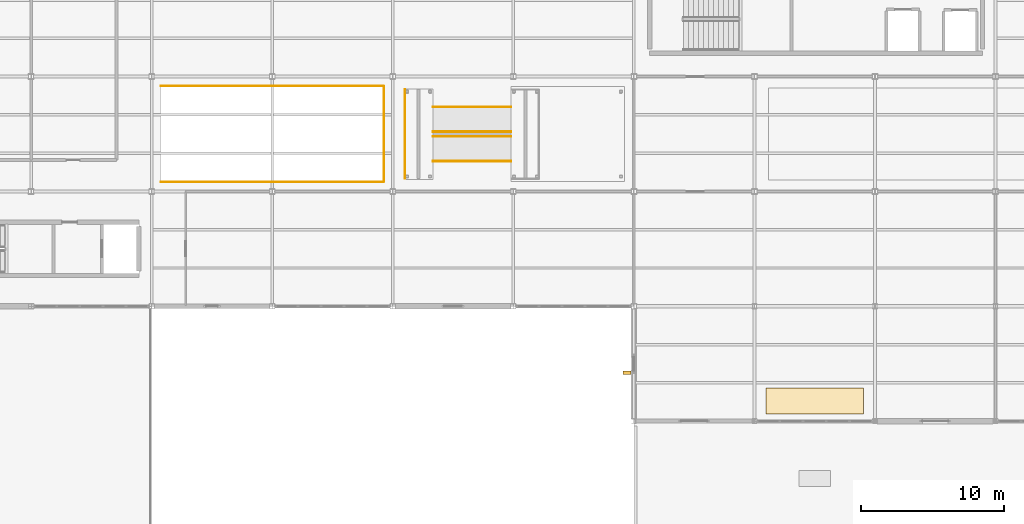
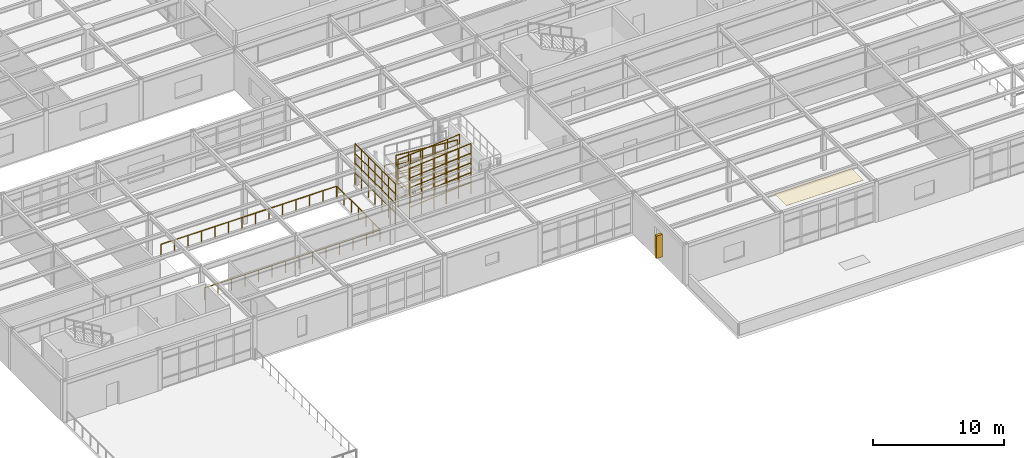
# One storey, part 129 of 138: 23 railings, 1 covering, 1 shading device.
"""IFC4 building model written with IfcOpenShell, lengths in metres."""

from ifc_helpers import new_model, si_unit, direction, frame, origin, origin_2d, place, context, subcontext, project, spatial, polyline, rectangle, circle, outline, extrude, material, layer, layer_set, type_object, element, save


model = new_model("IFC4")

# Units and contexts
model_context = context("Model", 3, precision=1e-05, world=origin(), true_north=direction((0.0, 1.0)))
body_context = subcontext(model_context, "Body", "Model", "MODEL_VIEW")
ifc_project = project(units=[si_unit("LENGTHUNIT", "METRE"), si_unit("AREAUNIT", "SQUARE_METRE"), si_unit("VOLUMEUNIT", "CUBIC_METRE"), si_unit("PLANEANGLEUNIT", "RADIAN"), si_unit("MASSUNIT", "GRAM", prefix="KILO")], contexts=[model_context])

# Site, building, storey
site_placement = place(None, origin())
site = spatial("IfcSite", under=ifc_project, at=site_placement, CompositionType="ELEMENT")
building_placement = place(site_placement, origin())
building = spatial("IfcBuilding", under=site, at=building_placement, Name="Kranzveld Transit Interchange", CompositionType="ELEMENT")
storey_placement = place(building_placement, frame((0.0, 0.0, 5.43994140625)))
storey = spatial("IfcBuildingStorey", under=building, at=storey_placement, Name="L01", CompositionType="ELEMENT", Elevation=5.43994140625)

# Covering
ifc_material_1 = material(Name="Bronze-anodised thermally broken aluminium", Category="aluminium")
ifc_layer = layer(ifc_material_1, 0.02490234375)
ifc_layer_set = layer_set([ifc_layer], Name="Bronze-anodised thermally broken aluminium")
covering_type = type_object("IfcCoveringType", Name="Acoustic Perforated Ceiling Tile 25", PredefinedType="CEILING", material=ifc_layer_set)
covering_placement = place(storey_placement, frame((0.0, 0.0, 3.775146484375)))
element("IfcCovering", 1, at=covering_placement, inside=storey, type_object=covering_type, Name="Dispatch Suite Acoustic Ceiling", PredefinedType="CEILING", context=body_context, shape_type="SweptSolid", body=[
    extrude(outline(polyline([(59.60009765625, 8.5), (66.39990234375, 8.5), (66.39990234375, 10.300048828125), (59.60009765625, 10.300048828125), (59.60009765625, 8.5)])), origin(), (0.0, 0.0, 1.0), 0.02490234375),
])

# Railings
ifc_material_2 = material(Name="Steel S355JR", Category="steel")
railing_type_1 = type_object("IfcRailingType", Name="Atrium Void Guardrail 1100", PredefinedType="GUARDRAIL", material=ifc_material_2)
railing_1_placement = place(storey_placement, frame((17.43994140625, 24.64990234375, 0.0)))
element("IfcRailing", 2, at=railing_1_placement, inside=storey, type_object=railing_type_1, Name="L01 Cycle Ramp Well Guardrail 1", PredefinedType="GUARDRAIL", context=body_context, shape_type="SweptSolid", body=[
    extrude(circle(Radius=0.02392578125, at=origin_2d()), frame((0.0, 0.0, 1.076171875), z_axis=(1.0, 0.0, 0.0), x_axis=(0.0, 1.0, 0.0)), (0.0, 0.0, 1.0), 15.52001953125),
    extrude(circle(Radius=0.02099609375, at=origin_2d()), origin(), (0.0, 0.0, 1.0), 1.050048828125),
    extrude(circle(Radius=0.02099609375, at=origin_2d()), frame((1.19384765625, 0.0, 0.0)), (0.0, 0.0, 1.0), 1.050048828125),
    extrude(circle(Radius=0.02099609375, at=origin_2d()), frame((2.3876953125, 0.0, 0.0)), (0.0, 0.0, 1.0), 1.050048828125),
    extrude(circle(Radius=0.02099609375, at=origin_2d()), frame((3.58154296875, 0.0, 0.0)), (0.0, 0.0, 1.0), 1.050048828125),
    extrude(circle(Radius=0.02099609375, at=origin_2d()), frame((4.775390625, 0.0, 0.0)), (0.0, 0.0, 1.0), 1.050048828125),
    extrude(circle(Radius=0.02099609375, at=origin_2d()), frame((5.96923828125, 0.0, 0.0)), (0.0, 0.0, 1.0), 1.050048828125),
    extrude(circle(Radius=0.02099609375, at=origin_2d()), frame((7.1630859375, 0.0, 0.0)), (0.0, 0.0, 1.0), 1.050048828125),
    extrude(circle(Radius=0.02099609375, at=origin_2d()), frame((8.35693359375, 0.0, 0.0)), (0.0, 0.0, 1.0), 1.050048828125),
    extrude(circle(Radius=0.02099609375, at=origin_2d()), frame((9.55078125, 0.0, 0.0)), (0.0, 0.0, 1.0), 1.050048828125),
    extrude(circle(Radius=0.02099609375, at=origin_2d()), frame((10.74462890625, 0.0, 0.0)), (0.0, 0.0, 1.0), 1.050048828125),
    extrude(circle(Radius=0.02099609375, at=origin_2d()), frame((11.9384765625, 0.0, 0.0)), (0.0, 0.0, 1.0), 1.050048828125),
    extrude(circle(Radius=0.02099609375, at=origin_2d()), frame((13.13232421875, 0.0, 0.0)), (0.0, 0.0, 1.0), 1.050048828125),
    extrude(circle(Radius=0.02099609375, at=origin_2d()), frame((14.326171875, 0.0, 0.0)), (0.0, 0.0, 1.0), 1.050048828125),
    extrude(circle(Radius=0.02099609375, at=origin_2d()), frame((15.52001953125, 0.0, 0.0)), (0.0, 0.0, 1.0), 1.050048828125),
])
railing_2_placement = place(storey_placement, frame((33.0, 24.68994140625, 0.0)))
element("IfcRailing", 3, at=railing_2_placement, inside=storey, type_object=railing_type_1, Name="L01 Cycle Ramp Well Guardrail 2", PredefinedType="GUARDRAIL", context=body_context, shape_type="SweptSolid", body=[
    extrude(circle(Radius=0.02392578125, at=origin_2d()), frame((0.0, 0.0, 1.076171875), z_axis=(0.0, 1.0, 0.0), x_axis=(-1.0, 0.0, 0.0)), (0.0, 0.0, 1.0), 6.6201171875),
    extrude(circle(Radius=0.02099609375, at=origin_2d()), origin(), (0.0, 0.0, 1.0), 1.050048828125),
    extrude(circle(Radius=0.02099609375, at=origin_2d()), frame((0.0, 1.103271484375, 0.0)), (0.0, 0.0, 1.0), 1.050048828125),
    extrude(circle(Radius=0.02099609375, at=origin_2d()), frame((0.0, 2.206787109375, 0.0)), (0.0, 0.0, 1.0), 1.050048828125),
    extrude(circle(Radius=0.02099609375, at=origin_2d()), frame((0.0, 3.31005859375, 0.0)), (0.0, 0.0, 1.0), 1.050048828125),
    extrude(circle(Radius=0.02099609375, at=origin_2d()), frame((0.0, 4.413330078125, 0.0)), (0.0, 0.0, 1.0), 1.050048828125),
    extrude(circle(Radius=0.02099609375, at=origin_2d()), frame((0.0, 5.516845703125, 0.0)), (0.0, 0.0, 1.0), 1.050048828125),
    extrude(circle(Radius=0.02099609375, at=origin_2d()), frame((0.0, 6.6201171875, 0.0)), (0.0, 0.0, 1.0), 1.050048828125),
])
railing_3_placement = place(storey_placement, frame((32.9599609375, 31.35009765625, 0.0)))
element("IfcRailing", 4, at=railing_3_placement, inside=storey, type_object=railing_type_1, Name="L01 Cycle Ramp Well Guardrail 3", PredefinedType="GUARDRAIL", context=body_context, shape_type="SweptSolid", body=[
    extrude(circle(Radius=0.02392578125, at=origin_2d()), frame((0.0, 0.0, 1.076171875), z_axis=(-1.0, 0.0, 0.0), x_axis=(0.0, -1.0, 0.0)), (0.0, 0.0, 1.0), 15.52001953125),
    extrude(circle(Radius=0.02099609375, at=origin_2d()), origin(), (0.0, 0.0, 1.0), 1.050048828125),
    extrude(circle(Radius=0.02099609375, at=origin_2d()), frame((-1.19384765625, 0.0, 0.0)), (0.0, 0.0, 1.0), 1.050048828125),
    extrude(circle(Radius=0.02099609375, at=origin_2d()), frame((-2.3876953125, 0.0, 0.0)), (0.0, 0.0, 1.0), 1.050048828125),
    extrude(circle(Radius=0.02099609375, at=origin_2d()), frame((-3.58154296875, 0.0, 0.0)), (0.0, 0.0, 1.0), 1.050048828125),
    extrude(circle(Radius=0.02099609375, at=origin_2d()), frame((-4.775390625, 0.0, 0.0)), (0.0, 0.0, 1.0), 1.050048828125),
    extrude(circle(Radius=0.02099609375, at=origin_2d()), frame((-5.96923828125, 0.0, 0.0)), (0.0, 0.0, 1.0), 1.050048828125),
    extrude(circle(Radius=0.02099609375, at=origin_2d()), frame((-7.1630859375, 0.0, 0.0)), (0.0, 0.0, 1.0), 1.050048828125),
    extrude(circle(Radius=0.02099609375, at=origin_2d()), frame((-8.35693359375, 0.0, 0.0)), (0.0, 0.0, 1.0), 1.050048828125),
    extrude(circle(Radius=0.02099609375, at=origin_2d()), frame((-9.55078125, 0.0, 0.0)), (0.0, 0.0, 1.0), 1.050048828125),
    extrude(circle(Radius=0.02099609375, at=origin_2d()), frame((-10.74462890625, 0.0, 0.0)), (0.0, 0.0, 1.0), 1.050048828125),
    extrude(circle(Radius=0.02099609375, at=origin_2d()), frame((-11.9384765625, 0.0, 0.0)), (0.0, 0.0, 1.0), 1.050048828125),
    extrude(circle(Radius=0.02099609375, at=origin_2d()), frame((-13.13232421875, 0.0, 0.0)), (0.0, 0.0, 1.0), 1.050048828125),
    extrude(circle(Radius=0.02099609375, at=origin_2d()), frame((-14.326171875, 0.0, 0.0)), (0.0, 0.0, 1.0), 1.050048828125),
    extrude(circle(Radius=0.02099609375, at=origin_2d()), frame((-15.52001953125, 0.0, 0.0)), (0.0, 0.0, 1.0), 1.050048828125),
])

# Shading device
ifc_material_3 = material(Name="Bronze-anodised thermally broken aluminium", Category="aluminium")
shading_device_type = type_object("IfcShadingDeviceType", Name="East-West Deep Clinker Solar Fin", PredefinedType="USERDEFINED", material=ifc_material_3)
shading_device_placement = place(storey_placement, frame((49.93505859375, 11.3515625, 0.64990234375), z_axis=(0.0, 0.0, 1.0), x_axis=(0.0, 1.0, 0.0)))
element("IfcShadingDevice", 5, at=shading_device_placement, inside=storey, type_object=shading_device_type, Name="L01 Vertical Solar Fin 07/B", ObjectType="SOLAR FIN", PredefinedType="USERDEFINED", context=body_context, shape_type="SweptSolid", body=[
    extrude(rectangle(XDim=0.239990234375, YDim=0.550048828125, at=origin_2d()), origin(), (0.0, 0.0, 1.0), 2.10009765625),
])

# Railings
ifc_material_4 = material(Name="Steel S355JR", Category="steel")
railing_type_2 = type_object("IfcRailingType", Name="Stair & Ramp Handrail Steel 900", PredefinedType="HANDRAIL", material=ifc_material_4)
railing_4_placement = place(storey_placement, frame((36.39990234375, 27.840087890625, 0.0)))
element("IfcRailing", 6, at=railing_4_placement, inside=storey, type_object=railing_type_2, Name="RMP-2 Flight 1 Rail H", PredefinedType="HANDRAIL", context=body_context, shape_type="SweptSolid", body=[
    extrude(circle(Radius=0.02392578125, at=origin_2d()), frame((0.0, 0.0, 0.8759765625), z_axis=(0.996545449809, 0.0, 0.083049181003), x_axis=(0.0, 1.0, 0.0)), (0.0, 0.0, 1.0), 5.458984375),
    extrude(circle(Radius=0.02099609375, at=origin_2d()), origin(), (0.0, 0.0, 1.0), 0.849853515625),
    extrude(circle(Radius=0.02099609375, at=origin_2d()), frame((1.088134765625, 0.0, 0.090576171875)), (0.0, 0.0, 1.0), 0.849853515625),
    extrude(circle(Radius=0.02099609375, at=origin_2d()), frame((2.176025390625, 0.0, 0.181396484375)), (0.0, 0.0, 1.0), 0.849853515625),
    extrude(circle(Radius=0.02099609375, at=origin_2d()), frame((3.26416015625, 0.0, 0.27197265625)), (0.0, 0.0, 1.0), 0.849853515625),
    extrude(circle(Radius=0.02099609375, at=origin_2d()), frame((4.35205078125, 0.0, 0.36279296875)), (0.0, 0.0, 1.0), 0.849853515625),
    extrude(circle(Radius=0.02099609375, at=origin_2d()), frame((5.440185546875, 0.0, 0.453369140625)), (0.0, 0.0, 1.0), 0.849853515625),
])
railing_5_placement = place(storey_placement, frame((41.840087890625, 29.889892578125, 0.453369140625)))
element("IfcRailing", 7, at=railing_5_placement, inside=storey, type_object=railing_type_2, Name="RMP-2 Flight 2 Rail H", PredefinedType="HANDRAIL", context=body_context, shape_type="SweptSolid", body=[
    extrude(circle(Radius=0.02392578125, at=origin_2d()), frame((0.0, 0.0, 0.8759765625), z_axis=(-0.996545449809, 0.0, 0.083049181003), x_axis=(0.0, -1.0, 0.0)), (0.0, 0.0, 1.0), 5.458984375),
    extrude(circle(Radius=0.02099609375, at=origin_2d()), origin(), (0.0, 0.0, 1.0), 0.849853515625),
    extrude(circle(Radius=0.02099609375, at=origin_2d()), frame((-1.088134765625, 0.0, 0.090576171875)), (0.0, 0.0, 1.0), 0.849853515625),
    extrude(circle(Radius=0.02099609375, at=origin_2d()), frame((-2.176025390625, 0.0, 0.181396484375)), (0.0, 0.0, 1.0), 0.849853515625),
    extrude(circle(Radius=0.02099609375, at=origin_2d()), frame((-3.26416015625, 0.0, 0.27197265625)), (0.0, 0.0, 1.0), 0.849853515625),
    extrude(circle(Radius=0.02099609375, at=origin_2d()), frame((-4.35205078125, 0.0, 0.36279296875)), (0.0, 0.0, 1.0), 0.849853515625),
    extrude(circle(Radius=0.02099609375, at=origin_2d()), frame((-5.440185546875, 0.0, 0.453369140625)), (0.0, 0.0, 1.0), 0.849853515625),
])
railing_6_placement = place(storey_placement, frame((36.39990234375, 27.840087890625, 0.90673828125)))
element("IfcRailing", 8, at=railing_6_placement, inside=storey, type_object=railing_type_2, Name="RMP-2 Flight 3 Rail H", PredefinedType="HANDRAIL", context=body_context, shape_type="SweptSolid", body=[
    extrude(circle(Radius=0.02392578125, at=origin_2d()), frame((0.0, 0.0, 0.8759765625), z_axis=(0.996545449809, 0.0, 0.083049181003), x_axis=(0.0, 1.0, 0.0)), (0.0, 0.0, 1.0), 5.458984375),
    extrude(circle(Radius=0.02099609375, at=origin_2d()), origin(), (0.0, 0.0, 1.0), 0.849853515625),
    extrude(circle(Radius=0.02099609375, at=origin_2d()), frame((1.088134765625, 0.0, 0.090576171875)), (0.0, 0.0, 1.0), 0.849853515625),
    extrude(circle(Radius=0.02099609375, at=origin_2d()), frame((2.176025390625, 0.0, 0.181396484375)), (0.0, 0.0, 1.0), 0.849853515625),
    extrude(circle(Radius=0.02099609375, at=origin_2d()), frame((3.26416015625, 0.0, 0.27197265625)), (0.0, 0.0, 1.0), 0.849853515625),
    extrude(circle(Radius=0.02099609375, at=origin_2d()), frame((4.35205078125, 0.0, 0.36279296875)), (0.0, 0.0, 1.0), 0.849853515625),
    extrude(circle(Radius=0.02099609375, at=origin_2d()), frame((5.440185546875, 0.0, 0.453369140625)), (0.0, 0.0, 1.0), 0.849853515625),
])
railing_7_placement = place(storey_placement, frame((41.840087890625, 29.889892578125, 1.360107421875)))
element("IfcRailing", 9, at=railing_7_placement, inside=storey, type_object=railing_type_2, Name="RMP-2 Flight 4 Rail H", PredefinedType="HANDRAIL", context=body_context, shape_type="SweptSolid", body=[
    extrude(circle(Radius=0.02392578125, at=origin_2d()), frame((0.0, 0.0, 0.8759765625), z_axis=(-0.996545449809, 0.0, 0.083049181003), x_axis=(0.0, -1.0, 0.0)), (0.0, 0.0, 1.0), 5.458984375),
    extrude(circle(Radius=0.02099609375, at=origin_2d()), origin(), (0.0, 0.0, 1.0), 0.849853515625),
    extrude(circle(Radius=0.02099609375, at=origin_2d()), frame((-1.088134765625, 0.0, 0.090576171875)), (0.0, 0.0, 1.0), 0.849853515625),
    extrude(circle(Radius=0.02099609375, at=origin_2d()), frame((-2.176025390625, 0.0, 0.181396484375)), (0.0, 0.0, 1.0), 0.849853515625),
    extrude(circle(Radius=0.02099609375, at=origin_2d()), frame((-3.26416015625, 0.0, 0.27197265625)), (0.0, 0.0, 1.0), 0.849853515625),
    extrude(circle(Radius=0.02099609375, at=origin_2d()), frame((-4.35205078125, 0.0, 0.36279296875)), (0.0, 0.0, 1.0), 0.849853515625),
    extrude(circle(Radius=0.02099609375, at=origin_2d()), frame((-5.440185546875, 0.0, 0.453369140625)), (0.0, 0.0, 1.0), 0.849853515625),
])
railing_8_placement = place(storey_placement, frame((36.39990234375, 27.840087890625, 1.8134765625)))
element("IfcRailing", 10, at=railing_8_placement, inside=storey, type_object=railing_type_2, Name="RMP-2 Flight 5 Rail H", PredefinedType="HANDRAIL", context=body_context, shape_type="SweptSolid", body=[
    extrude(circle(Radius=0.02392578125, at=origin_2d()), frame((0.0, 0.0, 0.8759765625), z_axis=(0.996549150147, 0.0, 0.083004766983), x_axis=(0.0, 1.0, 0.0)), (0.0, 0.0, 1.0), 5.458984375),
    extrude(circle(Radius=0.02099609375, at=origin_2d()), origin(), (0.0, 0.0, 1.0), 0.849853515625),
    extrude(circle(Radius=0.02099609375, at=origin_2d()), frame((1.088134765625, 0.0, 0.090576171875)), (0.0, 0.0, 1.0), 0.849853515625),
    extrude(circle(Radius=0.02099609375, at=origin_2d()), frame((2.176025390625, 0.0, 0.18115234375)), (0.0, 0.0, 1.0), 0.849853515625),
    extrude(circle(Radius=0.02099609375, at=origin_2d()), frame((3.26416015625, 0.0, 0.27197265625)), (0.0, 0.0, 1.0), 0.849853515625),
    extrude(circle(Radius=0.02099609375, at=origin_2d()), frame((4.35205078125, 0.0, 0.362548828125)), (0.0, 0.0, 1.0), 0.849853515625),
    extrude(circle(Radius=0.02099609375, at=origin_2d()), frame((5.440185546875, 0.0, 0.453125)), (0.0, 0.0, 1.0), 0.849853515625),
])
for number, where, name in (
    (11, (36.39990234375, 27.840087890625, 2.719970703125), "RMP-2 Flight 7 Rail H"),
    (12, (36.39990234375, 27.840087890625, 3.626708984375), "RMP-2 Flight 9 Rail H"),
):
    element("IfcRailing", number, at=place(storey_placement, frame(where)), inside=storey, type_object=railing_type_2, Name=name, PredefinedType="HANDRAIL", context=body_context, shape_type="SweptSolid", body=[
        extrude(circle(Radius=0.02392578125, at=origin_2d()), frame((0.0, 0.0, 0.8759765625), z_axis=(0.996545449809, 0.0, 0.083049181003), x_axis=(0.0, 1.0, 0.0)), (0.0, 0.0, 1.0), 5.458984375),
        extrude(circle(Radius=0.02099609375, at=origin_2d()), origin(), (0.0, 0.0, 1.0), 0.849853515625),
        extrude(circle(Radius=0.02099609375, at=origin_2d()), frame((1.088134765625, 0.0, 0.090576171875)), (0.0, 0.0, 1.0), 0.849853515625),
        extrude(circle(Radius=0.02099609375, at=origin_2d()), frame((2.176025390625, 0.0, 0.181396484375)), (0.0, 0.0, 1.0), 0.849853515625),
        extrude(circle(Radius=0.02099609375, at=origin_2d()), frame((3.26416015625, 0.0, 0.27197265625)), (0.0, 0.0, 1.0), 0.849853515625),
        extrude(circle(Radius=0.02099609375, at=origin_2d()), frame((4.35205078125, 0.0, 0.36279296875)), (0.0, 0.0, 1.0), 0.849853515625),
        extrude(circle(Radius=0.02099609375, at=origin_2d()), frame((5.440185546875, 0.0, 0.453369140625)), (0.0, 0.0, 1.0), 0.849853515625),
    ])
ifc_material_5 = material(Name="Steel S355JR", Category="steel")
railing_type_3 = type_object("IfcRailingType", Name="Stair Well Guardrail Steel 1100", PredefinedType="GUARDRAIL", material=ifc_material_5)
railing_9_placement = place(storey_placement, frame((36.39990234375, 26.110107421875, 0.0)))
element("IfcRailing", 13, at=railing_9_placement, inside=storey, type_object=railing_type_3, Name="RMP-2 Flight 1 Rail G", PredefinedType="GUARDRAIL", context=body_context, shape_type="SweptSolid", body=[
    extrude(circle(Radius=0.02392578125, at=origin_2d()), frame((0.0, 0.0, 1.076171875), z_axis=(0.996545449809, 0.0, 0.083049181003), x_axis=(0.0, 1.0, 0.0)), (0.0, 0.0, 1.0), 5.458984375),
    extrude(circle(Radius=0.02099609375, at=origin_2d()), origin(), (0.0, 0.0, 1.0), 1.050048828125),
    extrude(circle(Radius=0.02099609375, at=origin_2d()), frame((1.088134765625, 0.0, 0.090576171875)), (0.0, 0.0, 1.0), 1.050048828125),
    extrude(circle(Radius=0.02099609375, at=origin_2d()), frame((2.176025390625, 0.0, 0.181396484375)), (0.0, 0.0, 1.0), 1.050048828125),
    extrude(circle(Radius=0.02099609375, at=origin_2d()), frame((3.26416015625, 0.0, 0.27197265625)), (0.0, 0.0, 1.0), 1.050048828125),
    extrude(circle(Radius=0.02099609375, at=origin_2d()), frame((4.35205078125, 0.0, 0.36279296875)), (0.0, 0.0, 1.0), 1.050048828125),
    extrude(circle(Radius=0.02099609375, at=origin_2d()), frame((5.440185546875, 0.0, 0.453369140625)), (0.0, 0.0, 1.0), 1.050048828125),
])
railing_10_placement = place(storey_placement, frame((41.840087890625, 28.159912109375, 0.453369140625)))
element("IfcRailing", 14, at=railing_10_placement, inside=storey, type_object=railing_type_3, Name="RMP-2 Flight 2 Rail G", PredefinedType="GUARDRAIL", context=body_context, shape_type="SweptSolid", body=[
    extrude(circle(Radius=0.02392578125, at=origin_2d()), frame((0.0, 0.0, 1.076171875), z_axis=(-0.996545449809, 0.0, 0.083049181003), x_axis=(0.0, -1.0, 0.0)), (0.0, 0.0, 1.0), 5.458984375),
    extrude(circle(Radius=0.02099609375, at=origin_2d()), origin(), (0.0, 0.0, 1.0), 1.050048828125),
    extrude(circle(Radius=0.02099609375, at=origin_2d()), frame((-1.088134765625, 0.0, 0.090576171875)), (0.0, 0.0, 1.0), 1.050048828125),
    extrude(circle(Radius=0.02099609375, at=origin_2d()), frame((-2.176025390625, 0.0, 0.181396484375)), (0.0, 0.0, 1.0), 1.050048828125),
    extrude(circle(Radius=0.02099609375, at=origin_2d()), frame((-3.26416015625, 0.0, 0.27197265625)), (0.0, 0.0, 1.0), 1.050048828125),
    extrude(circle(Radius=0.02099609375, at=origin_2d()), frame((-4.35205078125, 0.0, 0.36279296875)), (0.0, 0.0, 1.0), 1.050048828125),
    extrude(circle(Radius=0.02099609375, at=origin_2d()), frame((-5.440185546875, 0.0, 0.453369140625)), (0.0, 0.0, 1.0), 1.050048828125),
])
railing_11_placement = place(storey_placement, frame((34.4599609375, 24.89990234375, 0.90673828125)))
element("IfcRailing", 15, at=railing_11_placement, inside=storey, type_object=railing_type_3, Name="RMP-2 Landing 2 Guard", PredefinedType="GUARDRAIL", context=body_context, shape_type="SweptSolid", body=[
    extrude(circle(Radius=0.02392578125, at=origin_2d()), frame((0.0, 0.028076171875, 1.076171875), z_axis=(0.0, 1.0, 0.0), x_axis=(-1.0, 0.0, 0.0)), (0.0, 0.0, 1.0), 6.14404296875),
    extrude(circle(Radius=0.02099609375, at=origin_2d()), origin(), (0.0, 0.0, 1.0), 1.050048828125),
    extrude(circle(Radius=0.02099609375, at=origin_2d()), frame((0.0, 1.033447265625, 0.0)), (0.0, 0.0, 1.0), 1.050048828125),
    extrude(circle(Radius=0.02099609375, at=origin_2d()), frame((0.0, 2.066650390625, 0.0)), (0.0, 0.0, 1.0), 1.050048828125),
    extrude(circle(Radius=0.02099609375, at=origin_2d()), frame((0.0, 3.10009765625, 0.0)), (0.0, 0.0, 1.0), 1.050048828125),
    extrude(circle(Radius=0.02099609375, at=origin_2d()), frame((0.0, 4.133544921875, 0.0)), (0.0, 0.0, 1.0), 1.050048828125),
    extrude(circle(Radius=0.02099609375, at=origin_2d()), frame((0.0, 5.166748046875, 0.0)), (0.0, 0.0, 1.0), 1.050048828125),
    extrude(circle(Radius=0.02099609375, at=origin_2d()), frame((0.0, 6.2001953125, 0.0)), (0.0, 0.0, 1.0), 1.050048828125),
])
railing_12_placement = place(storey_placement, frame((36.39990234375, 26.110107421875, 0.90673828125)))
element("IfcRailing", 16, at=railing_12_placement, inside=storey, type_object=railing_type_3, Name="RMP-2 Flight 3 Rail G", PredefinedType="GUARDRAIL", context=body_context, shape_type="SweptSolid", body=[
    extrude(circle(Radius=0.02392578125, at=origin_2d()), frame((0.0, 0.0, 1.076171875), z_axis=(0.996545449809, 0.0, 0.083049181003), x_axis=(0.0, 1.0, 0.0)), (0.0, 0.0, 1.0), 5.458984375),
    extrude(circle(Radius=0.02099609375, at=origin_2d()), origin(), (0.0, 0.0, 1.0), 1.050048828125),
    extrude(circle(Radius=0.02099609375, at=origin_2d()), frame((1.088134765625, 0.0, 0.090576171875)), (0.0, 0.0, 1.0), 1.050048828125),
    extrude(circle(Radius=0.02099609375, at=origin_2d()), frame((2.176025390625, 0.0, 0.181396484375)), (0.0, 0.0, 1.0), 1.050048828125),
    extrude(circle(Radius=0.02099609375, at=origin_2d()), frame((3.26416015625, 0.0, 0.27197265625)), (0.0, 0.0, 1.0), 1.050048828125),
    extrude(circle(Radius=0.02099609375, at=origin_2d()), frame((4.35205078125, 0.0, 0.36279296875)), (0.0, 0.0, 1.0), 1.050048828125),
    extrude(circle(Radius=0.02099609375, at=origin_2d()), frame((5.440185546875, 0.0, 0.453369140625)), (0.0, 0.0, 1.0), 1.050048828125),
])
railing_13_placement = place(storey_placement, frame((41.840087890625, 28.159912109375, 1.360107421875)))
element("IfcRailing", 17, at=railing_13_placement, inside=storey, type_object=railing_type_3, Name="RMP-2 Flight 4 Rail G", PredefinedType="GUARDRAIL", context=body_context, shape_type="SweptSolid", body=[
    extrude(circle(Radius=0.02392578125, at=origin_2d()), frame((0.0, 0.0, 1.076171875), z_axis=(-0.996545449809, 0.0, 0.083049181003), x_axis=(0.0, -1.0, 0.0)), (0.0, 0.0, 1.0), 5.458984375),
    extrude(circle(Radius=0.02099609375, at=origin_2d()), origin(), (0.0, 0.0, 1.0), 1.050048828125),
    extrude(circle(Radius=0.02099609375, at=origin_2d()), frame((-1.088134765625, 0.0, 0.090576171875)), (0.0, 0.0, 1.0), 1.050048828125),
    extrude(circle(Radius=0.02099609375, at=origin_2d()), frame((-2.176025390625, 0.0, 0.181396484375)), (0.0, 0.0, 1.0), 1.050048828125),
    extrude(circle(Radius=0.02099609375, at=origin_2d()), frame((-3.26416015625, 0.0, 0.27197265625)), (0.0, 0.0, 1.0), 1.050048828125),
    extrude(circle(Radius=0.02099609375, at=origin_2d()), frame((-4.35205078125, 0.0, 0.36279296875)), (0.0, 0.0, 1.0), 1.050048828125),
    extrude(circle(Radius=0.02099609375, at=origin_2d()), frame((-5.440185546875, 0.0, 0.453369140625)), (0.0, 0.0, 1.0), 1.050048828125),
])
railing_14_placement = place(storey_placement, frame((34.4599609375, 24.89990234375, 1.8134765625)))
element("IfcRailing", 18, at=railing_14_placement, inside=storey, type_object=railing_type_3, Name="RMP-2 Landing 4 Guard", PredefinedType="GUARDRAIL", context=body_context, shape_type="SweptSolid", body=[
    extrude(circle(Radius=0.02392578125, at=origin_2d()), frame((0.0, 0.028076171875, 1.076171875), z_axis=(0.0, 1.0, 0.0), x_axis=(-1.0, 0.0, 0.0)), (0.0, 0.0, 1.0), 6.14404296875),
    extrude(circle(Radius=0.02099609375, at=origin_2d()), origin(), (0.0, 0.0, 1.0), 1.050048828125),
    extrude(circle(Radius=0.02099609375, at=origin_2d()), frame((0.0, 1.033447265625, 0.0)), (0.0, 0.0, 1.0), 1.050048828125),
    extrude(circle(Radius=0.02099609375, at=origin_2d()), frame((0.0, 2.066650390625, 0.0)), (0.0, 0.0, 1.0), 1.050048828125),
    extrude(circle(Radius=0.02099609375, at=origin_2d()), frame((0.0, 3.10009765625, 0.0)), (0.0, 0.0, 1.0), 1.050048828125),
    extrude(circle(Radius=0.02099609375, at=origin_2d()), frame((0.0, 4.133544921875, 0.0)), (0.0, 0.0, 1.0), 1.050048828125),
    extrude(circle(Radius=0.02099609375, at=origin_2d()), frame((0.0, 5.166748046875, 0.0)), (0.0, 0.0, 1.0), 1.050048828125),
    extrude(circle(Radius=0.02099609375, at=origin_2d()), frame((0.0, 6.2001953125, 0.0)), (0.0, 0.0, 1.0), 1.050048828125),
])
railing_15_placement = place(storey_placement, frame((36.39990234375, 26.110107421875, 1.8134765625)))
element("IfcRailing", 19, at=railing_15_placement, inside=storey, type_object=railing_type_3, Name="RMP-2 Flight 5 Rail G", PredefinedType="GUARDRAIL", context=body_context, shape_type="SweptSolid", body=[
    extrude(circle(Radius=0.02392578125, at=origin_2d()), frame((0.0, 0.0, 1.076171875), z_axis=(0.996549150147, 0.0, 0.083004766983), x_axis=(0.0, 1.0, 0.0)), (0.0, 0.0, 1.0), 5.458984375),
    extrude(circle(Radius=0.02099609375, at=origin_2d()), origin(), (0.0, 0.0, 1.0), 1.050048828125),
    extrude(circle(Radius=0.02099609375, at=origin_2d()), frame((1.088134765625, 0.0, 0.090576171875)), (0.0, 0.0, 1.0), 1.050048828125),
    extrude(circle(Radius=0.02099609375, at=origin_2d()), frame((2.176025390625, 0.0, 0.18115234375)), (0.0, 0.0, 1.0), 1.050048828125),
    extrude(circle(Radius=0.02099609375, at=origin_2d()), frame((3.26416015625, 0.0, 0.27197265625)), (0.0, 0.0, 1.0), 1.050048828125),
    extrude(circle(Radius=0.02099609375, at=origin_2d()), frame((4.35205078125, 0.0, 0.362548828125)), (0.0, 0.0, 1.0), 1.050048828125),
    extrude(circle(Radius=0.02099609375, at=origin_2d()), frame((5.440185546875, 0.0, 0.453125)), (0.0, 0.0, 1.0), 1.050048828125),
])
railing_16_placement = place(storey_placement, frame((41.840087890625, 28.159912109375, 2.2666015625)))
element("IfcRailing", 20, at=railing_16_placement, inside=storey, type_object=railing_type_3, Name="RMP-2 Flight 6 Rail G", PredefinedType="GUARDRAIL", context=body_context, shape_type="SweptSolid", body=[
    extrude(circle(Radius=0.02392578125, at=origin_2d()), frame((0.0, 0.0, 1.076171875), z_axis=(-0.996545449809, 0.0, 0.083049181003), x_axis=(0.0, -1.0, 0.0)), (0.0, 0.0, 1.0), 5.458984375),
    extrude(circle(Radius=0.02099609375, at=origin_2d()), origin(), (0.0, 0.0, 1.0), 1.050048828125),
    extrude(circle(Radius=0.02099609375, at=origin_2d()), frame((-1.088134765625, 0.0, 0.090576171875)), (0.0, 0.0, 1.0), 1.050048828125),
    extrude(circle(Radius=0.02099609375, at=origin_2d()), frame((-2.176025390625, 0.0, 0.181396484375)), (0.0, 0.0, 1.0), 1.050048828125),
    extrude(circle(Radius=0.02099609375, at=origin_2d()), frame((-3.26416015625, 0.0, 0.27197265625)), (0.0, 0.0, 1.0), 1.050048828125),
    extrude(circle(Radius=0.02099609375, at=origin_2d()), frame((-4.35205078125, 0.0, 0.36279296875)), (0.0, 0.0, 1.0), 1.050048828125),
    extrude(circle(Radius=0.02099609375, at=origin_2d()), frame((-5.440185546875, 0.0, 0.453369140625)), (0.0, 0.0, 1.0), 1.050048828125),
])
railing_17_placement = place(storey_placement, frame((34.4599609375, 24.89990234375, 2.719970703125)))
element("IfcRailing", 21, at=railing_17_placement, inside=storey, type_object=railing_type_3, Name="RMP-2 Landing 6 Guard", PredefinedType="GUARDRAIL", context=body_context, shape_type="SweptSolid", body=[
    extrude(circle(Radius=0.02392578125, at=origin_2d()), frame((0.0, 0.028076171875, 1.076171875), z_axis=(0.0, 1.0, 0.0), x_axis=(-1.0, 0.0, 0.0)), (0.0, 0.0, 1.0), 6.14404296875),
    extrude(circle(Radius=0.02099609375, at=origin_2d()), origin(), (0.0, 0.0, 1.0), 1.050048828125),
    extrude(circle(Radius=0.02099609375, at=origin_2d()), frame((0.0, 1.033447265625, 0.0)), (0.0, 0.0, 1.0), 1.050048828125),
    extrude(circle(Radius=0.02099609375, at=origin_2d()), frame((0.0, 2.066650390625, 0.0)), (0.0, 0.0, 1.0), 1.050048828125),
    extrude(circle(Radius=0.02099609375, at=origin_2d()), frame((0.0, 3.10009765625, 0.0)), (0.0, 0.0, 1.0), 1.050048828125),
    extrude(circle(Radius=0.02099609375, at=origin_2d()), frame((0.0, 4.133544921875, 0.0)), (0.0, 0.0, 1.0), 1.050048828125),
    extrude(circle(Radius=0.02099609375, at=origin_2d()), frame((0.0, 5.166748046875, 0.0)), (0.0, 0.0, 1.0), 1.050048828125),
    extrude(circle(Radius=0.02099609375, at=origin_2d()), frame((0.0, 6.2001953125, 0.0)), (0.0, 0.0, 1.0), 1.050048828125),
])
railing_18_placement = place(storey_placement, frame((36.39990234375, 26.110107421875, 2.719970703125)))
element("IfcRailing", 22, at=railing_18_placement, inside=storey, type_object=railing_type_3, Name="RMP-2 Flight 7 Rail G", PredefinedType="GUARDRAIL", context=body_context, shape_type="SweptSolid", body=[
    extrude(circle(Radius=0.02392578125, at=origin_2d()), frame((0.0, 0.0, 1.076171875), z_axis=(0.996545449809, 0.0, 0.083049181003), x_axis=(0.0, 1.0, 0.0)), (0.0, 0.0, 1.0), 5.458984375),
    extrude(circle(Radius=0.02099609375, at=origin_2d()), origin(), (0.0, 0.0, 1.0), 1.050048828125),
    extrude(circle(Radius=0.02099609375, at=origin_2d()), frame((1.088134765625, 0.0, 0.090576171875)), (0.0, 0.0, 1.0), 1.050048828125),
    extrude(circle(Radius=0.02099609375, at=origin_2d()), frame((2.176025390625, 0.0, 0.181396484375)), (0.0, 0.0, 1.0), 1.050048828125),
    extrude(circle(Radius=0.02099609375, at=origin_2d()), frame((3.26416015625, 0.0, 0.27197265625)), (0.0, 0.0, 1.0), 1.050048828125),
    extrude(circle(Radius=0.02099609375, at=origin_2d()), frame((4.35205078125, 0.0, 0.36279296875)), (0.0, 0.0, 1.0), 1.050048828125),
    extrude(circle(Radius=0.02099609375, at=origin_2d()), frame((5.440185546875, 0.0, 0.453369140625)), (0.0, 0.0, 1.0), 1.050048828125),
])
railing_19_placement = place(storey_placement, frame((41.840087890625, 28.159912109375, 3.17333984375)))
element("IfcRailing", 23, at=railing_19_placement, inside=storey, type_object=railing_type_3, Name="RMP-2 Flight 8 Rail G", PredefinedType="GUARDRAIL", context=body_context, shape_type="SweptSolid", body=[
    extrude(circle(Radius=0.02392578125, at=origin_2d()), frame((0.0, 0.0, 1.076171875), z_axis=(-0.996545449809, 0.0, 0.083049181003), x_axis=(0.0, -1.0, 0.0)), (0.0, 0.0, 1.0), 5.458984375),
    extrude(circle(Radius=0.02099609375, at=origin_2d()), origin(), (0.0, 0.0, 1.0), 1.050048828125),
    extrude(circle(Radius=0.02099609375, at=origin_2d()), frame((-1.088134765625, 0.0, 0.090576171875)), (0.0, 0.0, 1.0), 1.050048828125),
    extrude(circle(Radius=0.02099609375, at=origin_2d()), frame((-2.176025390625, 0.0, 0.181396484375)), (0.0, 0.0, 1.0), 1.050048828125),
    extrude(circle(Radius=0.02099609375, at=origin_2d()), frame((-3.26416015625, 0.0, 0.27197265625)), (0.0, 0.0, 1.0), 1.050048828125),
    extrude(circle(Radius=0.02099609375, at=origin_2d()), frame((-4.35205078125, 0.0, 0.36279296875)), (0.0, 0.0, 1.0), 1.050048828125),
    extrude(circle(Radius=0.02099609375, at=origin_2d()), frame((-5.440185546875, 0.0, 0.453369140625)), (0.0, 0.0, 1.0), 1.050048828125),
])
railing_20_placement = place(storey_placement, frame((34.4599609375, 24.89990234375, 3.626708984375)))
element("IfcRailing", 24, at=railing_20_placement, inside=storey, type_object=railing_type_3, Name="RMP-2 Landing 8 Guard", PredefinedType="GUARDRAIL", context=body_context, shape_type="SweptSolid", body=[
    extrude(circle(Radius=0.02392578125, at=origin_2d()), frame((0.0, 0.028076171875, 1.076171875), z_axis=(0.0, 1.0, 0.0), x_axis=(-1.0, 0.0, 0.0)), (0.0, 0.0, 1.0), 6.14404296875),
    extrude(circle(Radius=0.02099609375, at=origin_2d()), origin(), (0.0, 0.0, 1.0), 1.050048828125),
    extrude(circle(Radius=0.02099609375, at=origin_2d()), frame((0.0, 1.033447265625, 0.0)), (0.0, 0.0, 1.0), 1.050048828125),
    extrude(circle(Radius=0.02099609375, at=origin_2d()), frame((0.0, 2.066650390625, 0.0)), (0.0, 0.0, 1.0), 1.050048828125),
    extrude(circle(Radius=0.02099609375, at=origin_2d()), frame((0.0, 3.10009765625, 0.0)), (0.0, 0.0, 1.0), 1.050048828125),
    extrude(circle(Radius=0.02099609375, at=origin_2d()), frame((0.0, 4.133544921875, 0.0)), (0.0, 0.0, 1.0), 1.050048828125),
    extrude(circle(Radius=0.02099609375, at=origin_2d()), frame((0.0, 5.166748046875, 0.0)), (0.0, 0.0, 1.0), 1.050048828125),
    extrude(circle(Radius=0.02099609375, at=origin_2d()), frame((0.0, 6.2001953125, 0.0)), (0.0, 0.0, 1.0), 1.050048828125),
])
railing_21_placement = place(storey_placement, frame((36.39990234375, 26.110107421875, 3.626708984375)))
element("IfcRailing", 25, at=railing_21_placement, inside=storey, type_object=railing_type_3, Name="RMP-2 Flight 9 Rail G", PredefinedType="GUARDRAIL", context=body_context, shape_type="SweptSolid", body=[
    extrude(circle(Radius=0.02392578125, at=origin_2d()), frame((0.0, 0.0, 1.076171875), z_axis=(0.996545449809, 0.0, 0.083049181003), x_axis=(0.0, 1.0, 0.0)), (0.0, 0.0, 1.0), 5.458984375),
    extrude(circle(Radius=0.02099609375, at=origin_2d()), origin(), (0.0, 0.0, 1.0), 1.050048828125),
    extrude(circle(Radius=0.02099609375, at=origin_2d()), frame((1.088134765625, 0.0, 0.090576171875)), (0.0, 0.0, 1.0), 1.050048828125),
    extrude(circle(Radius=0.02099609375, at=origin_2d()), frame((2.176025390625, 0.0, 0.181396484375)), (0.0, 0.0, 1.0), 1.050048828125),
    extrude(circle(Radius=0.02099609375, at=origin_2d()), frame((3.26416015625, 0.0, 0.27197265625)), (0.0, 0.0, 1.0), 1.050048828125),
    extrude(circle(Radius=0.02099609375, at=origin_2d()), frame((4.35205078125, 0.0, 0.36279296875)), (0.0, 0.0, 1.0), 1.050048828125),
    extrude(circle(Radius=0.02099609375, at=origin_2d()), frame((5.440185546875, 0.0, 0.453369140625)), (0.0, 0.0, 1.0), 1.050048828125),
])

save(model, "model.ifc")
